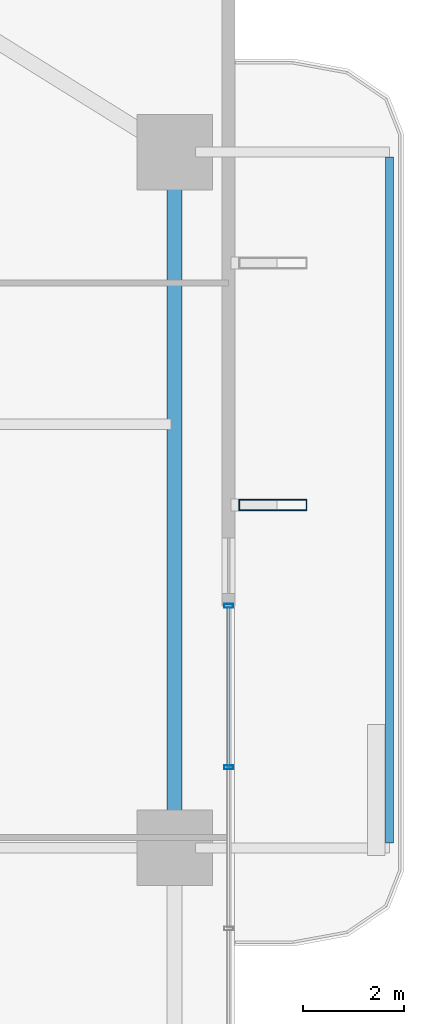
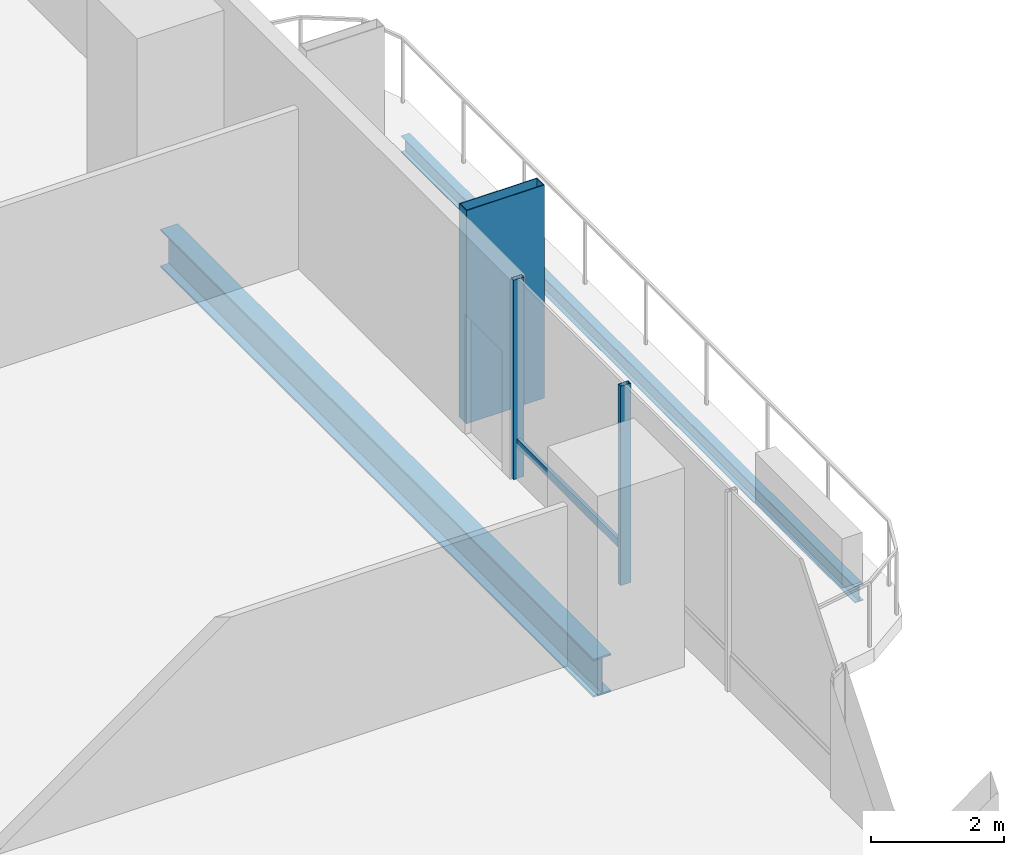
# One storey, part 13 of 23: 4 members, 2 beams, 1 element without a shape of its own.
"""IFC4 building model written with IfcOpenShell, lengths in metres."""

from ifc_helpers import new_model, si_unit, direction, frame, origin, origin_2d, place, context, subcontext, project, spatial, hollow_rectangle, i_section, extrude, material, layer, layer_set, material_profile, profile_set, type_object, element, aggregate, save


model = new_model("IFC4")

# Units and contexts
model_context = context("Model", 3, precision=1e-05, world=origin(), true_north=direction((0.0, 1.0)))
body_context = subcontext(model_context, "Body", "Model", "MODEL_VIEW")
ifc_project = project(units=[si_unit("LENGTHUNIT", "METRE"), si_unit("AREAUNIT", "SQUARE_METRE"), si_unit("VOLUMEUNIT", "CUBIC_METRE"), si_unit("PLANEANGLEUNIT", "RADIAN"), si_unit("MASSUNIT", "GRAM", prefix="KILO")], contexts=[model_context])

# Site, building, storey
site_placement = place(None, origin())
site = spatial("IfcSite", under=ifc_project, at=site_placement, CompositionType="ELEMENT")
building_placement = place(site_placement, origin())
building = spatial("IfcBuilding", under=site, at=building_placement, Name="Belovzor Exchange Tower", CompositionType="ELEMENT")
storey_placement = place(building_placement, frame((0.0, 0.0, 84.60009765625)))
storey = spatial("IfcBuildingStorey", under=building, at=storey_placement, Name="L20", CompositionType="ELEMENT", Elevation=84.60009765625)

# Member
ifc_material_1 = material(Name="Extruded Architectural Terracotta on Steel S355 Carrier", Category="masonry")
ifc_material_profile_1 = material_profile(ifc_material_1, hollow_rectangle(XDim=0.219970703125, YDim=1.35009765625, WallThickness=0.013916015625, at=origin_2d()))
ifc_profile_set_1 = profile_set([ifc_material_profile_1], Name="Extruded Architectural Terracotta on Steel S355 Carrier")
member_type_1 = type_object("IfcMemberType", Name="Base Arc Sweeping Terracotta Pylon Fin 1450", PredefinedType="USERDEFINED", material=ifc_profile_set_1)
member_1_placement = place(storey_placement, frame((57.449951171875, 35.60009765625, -0.25), z_axis=(0.0, 0.0, 1.0), x_axis=(0.0, 1.0, 0.0)))
element("IfcMember", 1, at=member_1_placement, inside=storey, type_object=member_type_1, Name="FIN-TC145 Terracotta Facade Fin L20 E3", ObjectType="FIN", PredefinedType="USERDEFINED", context=body_context, shape_type="SweptSolid", body=[
    extrude(hollow_rectangle(XDim=0.219970703125, YDim=1.35009765625, WallThickness=0.013916015625, at=origin_2d()), origin(), (0.0, 0.0, 1.0), 3.89990234375),
])

# Beam
ifc_material_2 = material(Name="Steel S355", Category="steel")
ifc_material_profile_2 = material_profile(ifc_material_2, i_section(OverallWidth=0.14990234375, OverallDepth=0.300048828125, WebThickness=0.007080078125, FlangeThickness=0.0107421875, at=origin_2d()))
ifc_profile_set_2 = profile_set([ifc_material_profile_2], Name="Steel S355")
beam_type_1 = type_object("IfcBeamType", Name="Planted Balcony Fascia Edge Beam IPE 300", PredefinedType="BEAM", material=ifc_profile_set_2)
beam_1_placement = place(storey_placement, frame((59.762939453125, 28.89990234375, -0.400146484375), z_axis=(0.0, 1.0, 0.0), x_axis=(-1.0, 0.0, 0.0)))
element("IfcBeam", 2, at=beam_1_placement, inside=storey, type_object=beam_type_1, Name="BC-300 Planted Balcony Fascia Edge Beam IPE 300", PredefinedType="BEAM", context=body_context, shape_type="SweptSolid", body=[
    extrude(i_section(OverallWidth=0.14990234375, OverallDepth=0.300048828125, WebThickness=0.007080078125, FlangeThickness=0.0107421875, at=origin_2d()), origin(), (0.0, 0.0, 1.0), 13.60009765625),
])

# Curtain wall, members
ifc_material_3 = material(Name="Anodised Aluminium Framing", Category="aluminium")
ifc_layer = layer(ifc_material_3, 0.179931640625)
ifc_layer_set = layer_set([ifc_layer], Name="Anodised Aluminium Framing")
curtain_wall_type = type_object("IfcCurtainWallType", Name="Recessed Loggia Low-Iron Triple-Glazed Curtain Wall", PredefinedType="NOTDEFINED", material=ifc_layer_set)
curtain_wall_placement = place(storey_placement, origin())
curtain_wall = element("IfcCurtainWall", 3, at=curtain_wall_placement, inside=storey, type_object=curtain_wall_type, Name="CW3 Recessed Loggia Low-Iron Triple-Glazed Curtain Wall L20", PredefinedType="NOTDEFINED")
ifc_material_4 = material(Name="Steel S355", Category="steel")
ifc_material_profile_3 = material_profile(ifc_material_4, hollow_rectangle(XDim=0.074951171875, YDim=0.179931640625, WallThickness=0.0048828125, at=origin_2d()))
ifc_profile_set_3 = profile_set([ifc_material_profile_3], Name="Steel S355")
member_type_2 = type_object("IfcMemberType", Name="Thermally Broken Curtain Wall Mullion 180x75", PredefinedType="MULLION", material=ifc_profile_set_3)
member_2_placement = place(storey_placement, frame((56.570068359375, 33.60009765625, 0.0), z_axis=(0.0, 0.0, 1.0), x_axis=(0.0, -1.0, 0.0)))
member_2 = element("IfcMember", 4, at=member_2_placement, type_object=member_type_2, Name="CW-M180 Curtain Wall Mullion 1", PredefinedType="MULLION", context=body_context, shape_type="SweptSolid", body=[
    extrude(hollow_rectangle(XDim=0.074951171875, YDim=0.179931640625, WallThickness=0.0048828125, at=origin_2d()), origin(), (0.0, 0.0, 1.0), 3.64990234375),
])
member_3_placement = place(storey_placement, frame((56.570068359375, 30.39990234375, 0.0), z_axis=(0.0, 0.0, 1.0), x_axis=(0.0, -1.0, 0.0)))
member_3 = element("IfcMember", 5, at=member_3_placement, type_object=member_type_2, Name="CW-M180 Curtain Wall Mullion 2", PredefinedType="MULLION", context=body_context, shape_type="SweptSolid", body=[
    extrude(hollow_rectangle(XDim=0.074951171875, YDim=0.179931640625, WallThickness=0.0048828125, at=origin_2d()), origin(), (0.0, 0.0, 1.0), 3.64990234375),
])
ifc_material_5 = material(Name="Steel S355", Category="steel")
ifc_material_profile_4 = material_profile(ifc_material_5, hollow_rectangle(XDim=0.06005859375, YDim=0.14990234375, WallThickness=0.00390625, at=origin_2d()))
ifc_profile_set_4 = profile_set([ifc_material_profile_4], Name="Steel S355")
member_type_3 = type_object("IfcMemberType", Name="Thermally Broken Curtain Wall Transom 150x60", PredefinedType="USERDEFINED", material=ifc_profile_set_4)
member_4_placement = place(storey_placement, frame((56.570068359375, 33.592041015625, 0.64990234375), z_axis=(0.0, -1.0, 0.0), x_axis=(1.0, 0.0, 0.0)))
member_4 = element("IfcMember", 6, at=member_4_placement, type_object=member_type_3, Name="CW-T150 Curtain Wall Transom 1", ObjectType="TRANSOM", PredefinedType="USERDEFINED", context=body_context, shape_type="SweptSolid", body=[
    extrude(hollow_rectangle(XDim=0.06005859375, YDim=0.14990234375, WallThickness=0.00390625, at=origin_2d()), origin(), (0.0, 0.0, 1.0), 3.18408203125),
])
aggregate(curtain_wall, [member_2, member_3, member_4])

# Beam
ifc_material_6 = material(Name="Steel S355", Category="steel")
ifc_material_profile_5 = material_profile(ifc_material_6, i_section(OverallWidth=0.300048828125, OverallDepth=0.699951171875, WebThickness=0.01708984375, FlangeThickness=0.031982421875, at=origin_2d()))
ifc_profile_set_5 = profile_set([ifc_material_profile_5], Name="Steel S355")
beam_type_2 = type_object("IfcBeamType", Name="Zone 1 Primary Perimeter Girder HEB 700", PredefinedType="BEAM", material=ifc_profile_set_5)
beam_2_placement = place(storey_placement, frame((55.5, 29.212890625, -0.60009765625), z_axis=(0.0, 1.0, 0.0), x_axis=(-1.0, 0.0, 0.0)))
element("IfcBeam", 7, at=beam_2_placement, inside=storey, type_object=beam_type_2, Name="FG-Z1 Zone 1 Primary Perimeter Girder HEB 700", PredefinedType="BEAM", context=body_context, shape_type="SweptSolid", body=[
    extrude(i_section(OverallWidth=0.300048828125, OverallDepth=0.699951171875, WebThickness=0.01708984375, FlangeThickness=0.031982421875, at=origin_2d()), origin(), (0.0, 0.0, 1.0), 12.97509765625),
])

save(model, "model.ifc")
